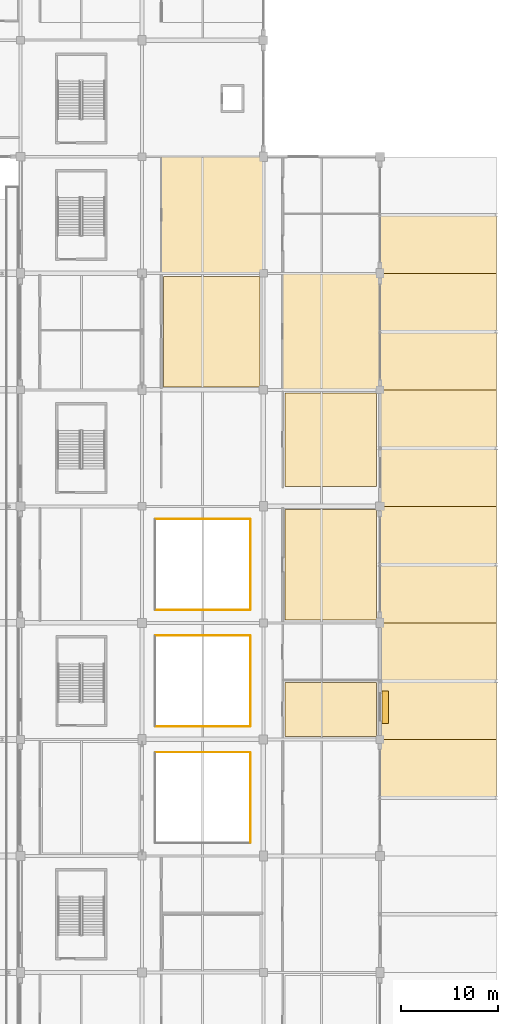
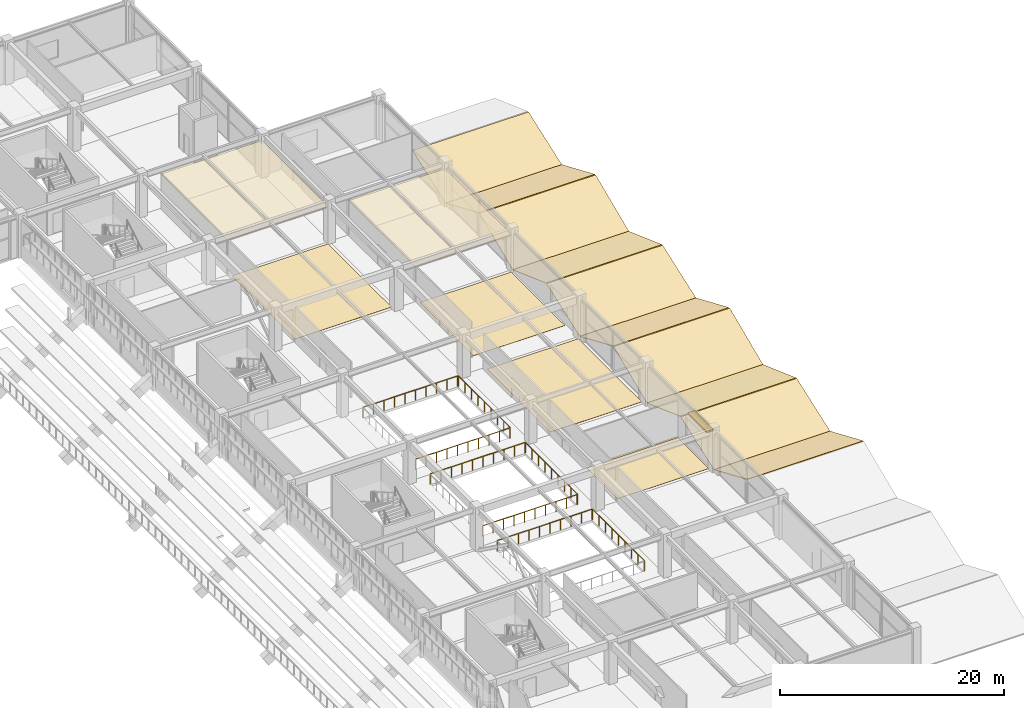
# One storey, part 122 of 134: 16 coverings, 8 railings, 1 shading device.
"""IFC4 building model written with IfcOpenShell, lengths in metres."""

import ifcopenshell
import ifcopenshell.guid

model = None  # the IFC model being written
_history = None  # IfcOwnerHistory: only IFC2X3 demands one
_inside = {}  # id of a spatial element -> (the spatial element, [elements in it])
_under = {}  # id of a project, library or spatial element -> (it, [spatial elements below it])
_declared = {}  # id of a project -> (the project, [libraries it declares])
_typed = {}  # id of a type object -> (the type object, [elements of that type])
_made_of = {}  # id of a material, layer set ... -> (it, [elements and type objects made of it])


def new_model(schema):
    """Start an empty IFC model of exactly this schema.

    Asked for "IFC4X3", IfcOpenShell would pick the latest addendum, in which some entities
    have other attributes; the version numbers below select the first issue.
    IFC2X3 requires an IfcOwnerHistory on every rooted entity: one is made here for all.
    """
    global model, _history
    if schema == "IFC4X3":
        model = ifcopenshell.file(schema_version=(4, 3, 0, 0))
    else:
        model = ifcopenshell.file(schema=schema)
    _inside.clear()
    _under.clear()
    _declared.clear()
    _typed.clear()
    _made_of.clear()
    _history = None
    if model.schema == "IFC2X3":
        org = make("IfcOrganization", Name="unknown")
        user = make(
            "IfcPersonAndOrganization",
            ThePerson=make("IfcPerson", FamilyName="unknown"),
            TheOrganization=org,
        )
        app = make(
            "IfcApplication",
            ApplicationDeveloper=org,
            Version="unknown",
            ApplicationFullName="unknown",
            ApplicationIdentifier="unknown",
        )
        _history = make(
            "IfcOwnerHistory",
            OwningUser=user,
            OwningApplication=app,
            ChangeAction="ADDED",
            CreationDate=0,
        )
    return model


def make(cls, **values):
    """One entity of the class cls with the attributes given. An attribute that is None is left unset."""
    return model.create_entity(
        cls, **{name: value for name, value in values.items() if value is not None}
    )


def rooted(cls, **values):
    """An entity with a GlobalId (a new one), such as an element, a storey or a relation."""
    return make(cls, GlobalId=ifcopenshell.guid.new(), OwnerHistory=_history, **values)


def si_unit(unit_type, name, prefix=None):
    """IfcSIUnit, for example si_unit("LENGTHUNIT", "METRE", prefix="MILLI")."""
    return make("IfcSIUnit", UnitType=unit_type, Prefix=prefix, Name=name)


def assignment(units):
    """IfcUnitAssignment: the units of a project."""
    return None if units is None else make("IfcUnitAssignment", Units=units)


def point(xyz):
    """IfcCartesianPoint."""
    return None if xyz is None else make("IfcCartesianPoint", Coordinates=xyz)


def direction(xyz):
    """IfcDirection."""
    return None if xyz is None else make("IfcDirection", DirectionRatios=xyz)


def frame(location, z_axis=None, x_axis=None):
    """IfcAxis2Placement3D, a coordinate frame: its origin and axes. An axis left out is left unset."""
    return make(
        "IfcAxis2Placement3D",
        Location=point(location),
        Axis=direction(z_axis),
        RefDirection=direction(x_axis),
    )


def frame_2d(location, x_axis=None):
    """IfcAxis2Placement2D, a coordinate frame in the plane: its origin and x axis."""
    return make(
        "IfcAxis2Placement2D", Location=point(location), RefDirection=direction(x_axis)
    )


def origin():
    """The frame at (0, 0, 0) with its axes left unset."""
    return frame((0.0, 0.0, 0.0))


def origin_2d():
    """The frame at (0, 0) in the plane with its x axis left unset."""
    return frame_2d((0.0, 0.0))


def place(relative_to, where):
    """IfcLocalPlacement: puts the frame where relative to a parent placement (None: the world)."""
    return make(
        "IfcLocalPlacement", PlacementRelTo=relative_to, RelativePlacement=where
    )


def context(
    kind, dimensions, precision=None, world=None, true_north=None, identifier=None
):
    """IfcGeometricRepresentationContext, for example the 3D "Model" context."""
    return make(
        "IfcGeometricRepresentationContext",
        ContextIdentifier=identifier,
        ContextType=kind,
        CoordinateSpaceDimension=dimensions,
        Precision=precision,
        WorldCoordinateSystem=world,
        TrueNorth=true_north,
    )


def subcontext(parent, identifier, kind, view, scale=None):
    """IfcGeometricRepresentationSubContext, for example "Body" below "Model"."""
    return make(
        "IfcGeometricRepresentationSubContext",
        ContextIdentifier=identifier,
        ContextType=kind,
        ParentContext=parent,
        TargetScale=scale,
        TargetView=view,
    )


def project(units=None, contexts=None):
    """IfcProject with its units and contexts."""
    return rooted(
        "IfcProject",
        Name="project",
        RepresentationContexts=contexts,
        UnitsInContext=assignment(units),
    )


def spatial(cls, under=None, at=None, **own):
    """A site, building, storey or space (cls), placed at a placement, below another one or the project."""
    s = rooted(cls, ObjectPlacement=at, **own)
    if under is not None:
        _under.setdefault(under.id(), (under, []))[1].append(s)
    return s


def polyline(points):
    """IfcPolyline through the points."""
    return make("IfcPolyline", Points=[point(p) for p in points])


def profile(cls, at=None, kind="AREA", **sizes):
    """A parametric profile (cls). Its sizes go by their IFC names, for example OverallWidth=200.0."""
    return make(cls, ProfileType=kind, Position=at, **sizes)


def rectangle(**sizes):
    """IfcRectangleProfileDef."""
    return profile("IfcRectangleProfileDef", **sizes)


def circle(**sizes):
    """IfcCircleProfileDef."""
    return profile("IfcCircleProfileDef", **sizes)


def outline(outer, holes=None, kind="AREA"):
    """IfcArbitraryClosedProfileDef: a profile drawn as a closed curve; with holes, ...WithVoids."""
    if holes is None:
        return make("IfcArbitraryClosedProfileDef", ProfileType=kind, OuterCurve=outer)
    return make(
        "IfcArbitraryProfileDefWithVoids",
        ProfileType=kind,
        OuterCurve=outer,
        InnerCurves=holes,
    )


def extrude(swept, where, along, depth):
    """IfcExtrudedAreaSolid: the profile swept, set in the frame where, extruded along a direction by depth."""
    return make(
        "IfcExtrudedAreaSolid",
        SweptArea=swept,
        Position=where,
        ExtrudedDirection=direction(along),
        Depth=depth,
    )


def shape(context_of_items, identifier, shape_type, items):
    """IfcShapeRepresentation: the items that make up one representation, for example the "Body"."""
    return make(
        "IfcShapeRepresentation",
        ContextOfItems=context_of_items,
        RepresentationIdentifier=identifier,
        RepresentationType=shape_type,
        Items=items,
    )


def material(Name=None, Category=None):
    """IfcMaterial."""
    return make("IfcMaterial", Name=Name, Category=Category)


def layer(
    of_material, thickness, ventilated=None, Name=None, Category=None, Priority=None
):
    """IfcMaterialLayer: one layer of a wall or slab, of a material (None: an air gap)."""
    return make(
        "IfcMaterialLayer",
        Material=of_material,
        LayerThickness=thickness,
        IsVentilated=ventilated,
        Name=Name,
        Category=Category,
        Priority=Priority,
    )


def layer_set(layers, Name=None):
    """IfcMaterialLayerSet."""
    return make("IfcMaterialLayerSet", MaterialLayers=layers, LayerSetName=Name)


def made_of(thing, what):
    """Note that an element or type object is made of a material, layer set ...; save() writes the relation."""
    if what is not None:
        _made_of.setdefault(what.id(), (what, []))[1].append(thing)
    return thing


def type_object(cls, material=None, **own):
    """A type object (cls), such as IfcWallType, which elements share."""
    return made_of(rooted(cls, **own), material)


def element(
    cls,
    number,
    at=None,
    inside=None,
    cuts=None,
    type_object=None,
    material=None,
    context=None,
    identifier="Body",
    shape_type=None,
    held_by="IfcProductDefinitionShape",
    body=None,
    shapes=None,
    **own,
):
    """One element of the class cls, such as IfcWall. Its Tag is "e" and its number.

    at: its placement. inside: the storey or other place that contains it. cuts: it is an
    opening in that element (IfcRelVoidsElement). A single representation is given by context,
    identifier, shape_type and body (its items); several are given by shapes. held_by: the class
    of the entity that holds the representations. save() writes the other relations.
    """
    e = rooted(cls, Tag="e%d" % number, ObjectPlacement=at, **own)
    if body is not None:
        shapes = [shape(context, identifier, shape_type, body)]
    if shapes is not None:
        e.Representation = make(held_by, Representations=shapes)
    if inside is not None:
        _inside.setdefault(inside.id(), (inside, []))[1].append(e)
    if cuts is not None:
        rooted(
            "IfcRelVoidsElement", RelatingBuildingElement=cuts, RelatedOpeningElement=e
        )
    if type_object is not None:
        _typed.setdefault(type_object.id(), (type_object, []))[1].append(e)
    return made_of(e, material)


def aggregate(whole, parts):
    """IfcRelAggregates: a whole, such as a stair, and the parts it consists of."""
    return rooted("IfcRelAggregates", RelatingObject=whole, RelatedObjects=parts)


def save(model, path):
    """Write the relations noted so far, then the file.

    IfcRelAggregates (storeys below a building ...), IfcRelContainedInSpatialStructure (elements
    in a storey), IfcRelDefinesByType, IfcRelAssociatesMaterial and IfcRelDeclares: one each for
    every whole, place, type object, material and project.
    """
    for whole, parts in _under.values():
        aggregate(whole, parts)
    for where, things in _inside.values():
        rooted(
            "IfcRelContainedInSpatialStructure",
            RelatedElements=things,
            RelatingStructure=where,
        )
    for kind, things in _typed.values():
        rooted("IfcRelDefinesByType", RelatedObjects=things, RelatingType=kind)
    for what, things in _made_of.values():
        rooted("IfcRelAssociatesMaterial", RelatedObjects=things, RelatingMaterial=what)
    for by, libraries in _declared.values():
        rooted("IfcRelDeclares", RelatingContext=by, RelatedDefinitions=libraries)
    model.write(path)


model = new_model("IFC4")

# Units and contexts
model_context = context("Model", 3, precision=1e-05, world=origin(), true_north=direction((0.0, 1.0)))
body_context = subcontext(model_context, "Body", "Model", "MODEL_VIEW")
ifc_project = project(units=[si_unit("LENGTHUNIT", "METRE"), si_unit("AREAUNIT", "SQUARE_METRE"), si_unit("VOLUMEUNIT", "CUBIC_METRE"), si_unit("PLANEANGLEUNIT", "RADIAN"), si_unit("MASSUNIT", "GRAM", prefix="KILO")], contexts=[model_context])

# Site, building, storey
site_placement = place(None, origin())
site = spatial("IfcSite", under=ifc_project, at=site_placement, CompositionType="ELEMENT")
building_placement = place(site_placement, origin())
building = spatial("IfcBuilding", under=site, at=building_placement, Name="Kazenohara Klinker Stadium", CompositionType="ELEMENT")
storey_placement = place(building_placement, frame((0.0, 0.0, 5.39990234375)))
storey = spatial("IfcBuildingStorey", under=building, at=storey_placement, Name="L01", CompositionType="ELEMENT", Elevation=5.39990234375)

# Coverings
ifc_material_1 = material(Name="Perforated acoustic mineral-fibre ceiling tile", Category="gypsum")
ifc_layer_1 = layer(ifc_material_1, 0.030029296875)
ifc_layer_set_1 = layer_set([ifc_layer_1], Name="Perforated acoustic mineral-fibre ceiling tile")
covering_type_1 = type_object("IfcCoveringType", Name="COV-CEIL-01", PredefinedType="CEILING", material=ifc_layer_set_1)
covering_1_placement = place(storey_placement, frame((0.0, 0.0, 3.75)))
element("IfcCovering", 1, at=covering_1_placement, inside=storey, type_object=covering_type_1, Name="Suspended acoustic ceiling CL01 Concourse Supporter Beer Dining Hall L01-1609A", PredefinedType="CEILING", context=body_context, shape_type="SweptSolid", body=[
    extrude(outline(polyline([(201.9599609375, 108.0400390625), (211.93994140625, 108.0400390625), (211.93994140625, 119.9599609375), (201.9599609375, 119.9599609375), (201.9599609375, 108.0400390625)])), origin(), (0.0, 0.0, 1.0), 0.030029296875),
])
ifc_material_2 = material(Name="Slatted Hokkaido cedar acoustic baffle ceiling", Category="wood")
ifc_layer_2 = layer(ifc_material_2, 0.0400390625)
ifc_layer_set_2 = layer_set([ifc_layer_2], Name="Slatted Hokkaido cedar acoustic baffle ceiling")
covering_type_2 = type_object("IfcCoveringType", Name="COV-CEIL-02", PredefinedType="CEILING", material=ifc_layer_set_2)
covering_2_placement = place(storey_placement, frame((0.0, 0.0, 3.739990234375)))
element("IfcCovering", 2, at=covering_2_placement, inside=storey, type_object=covering_type_2, Name="Suspended acoustic ceiling CL02 Spectator First-Aid Medical Clinic L01-1510A", PredefinedType="CEILING", context=body_context, shape_type="SweptSolid", body=[
    extrude(outline(polyline([(189.4599609375, 120.0400390625), (199.93994140625, 120.0400390625), (199.93994140625, 131.9599609375), (189.4599609375, 131.9599609375), (189.4599609375, 120.0400390625)])), origin(), (0.0, 0.0, 1.0), 0.0400390625),
])
ifc_material_3 = material(Name="Slip-resistant honed basalt terrazzo flooring", Category="masonry")
ifc_layer_3 = layer(ifc_material_3, 0.02001953125)
ifc_layer_set_3 = layer_set([ifc_layer_3], Name="Slip-resistant honed basalt terrazzo flooring")
covering_type_3 = type_object("IfcCoveringType", Name="COV-FLR-01", PredefinedType="FLOORING", material=ifc_layer_set_3)
covering_3_placement = place(storey_placement, origin())
element("IfcCovering", 3, at=covering_3_placement, inside=storey, type_object=covering_type_3, Name="Interior floor finish FL01 Supporter Scarf and Jersey Retail Shop L01-1509A", PredefinedType="FLOORING", context=body_context, shape_type="SweptSolid", body=[
    extrude(outline(polyline([(189.72998046875, 108.31005859375), (199.669921875, 108.31005859375), (199.669921875, 119.68994140625), (189.72998046875, 119.68994140625), (189.72998046875, 108.31005859375)])), origin(), (0.0, 0.0, 1.0), 0.02001953125),
])
covering_4_placement = place(storey_placement, origin())
element("IfcCovering", 4, at=covering_4_placement, inside=storey, type_object=covering_type_3, Name="Interior floor finish FL01 Spectator First-Aid Medical Clinic L01-1607A", PredefinedType="FLOORING", context=body_context, shape_type="SweptSolid", body=[
    extrude(outline(polyline([(202.22998046875, 84.31005859375), (211.669921875, 84.31005859375), (211.669921875, 95.68994140625), (202.22998046875, 95.68994140625), (202.22998046875, 84.31005859375)])), origin(), (0.0, 0.0, 1.0), 0.02001953125),
])
ifc_material_4 = material(Name="Cushioned EPDM sports rubber flooring", Category="rubber")
ifc_layer_4 = layer(ifc_material_4, 0.014892578125)
ifc_layer_set_4 = layer_set([ifc_layer_4], Name="Cushioned EPDM sports rubber flooring")
covering_type_4 = type_object("IfcCoveringType", Name="COV-FLR-02", PredefinedType="FLOORING", material=ifc_layer_set_4)
covering_5_placement = place(storey_placement, origin())
element("IfcCovering", 5, at=covering_5_placement, inside=storey, type_object=covering_type_4, Name="Interior floor finish FL02 Family Sensory Hospitality Lounge L01-1606A", PredefinedType="FLOORING", context=body_context, shape_type="SweptSolid", body=[
    extrude(outline(polyline([(202.22998046875, 72.31005859375), (211.669921875, 72.31005859375), (211.669921875, 77.88671875), (202.22998046875, 77.88671875), (202.22998046875, 72.31005859375)])), origin(), (0.0, 0.0, 1.0), 0.01513671875),
])
covering_6_placement = place(storey_placement, origin())
element("IfcCovering", 6, at=covering_6_placement, inside=storey, type_object=covering_type_4, Name="Interior floor finish FL02 Family Sensory Hospitality Lounge L01-1608A", PredefinedType="FLOORING", context=body_context, shape_type="SweptSolid", body=[
    extrude(outline(polyline([(202.22998046875, 98.070068359375), (211.669921875, 98.070068359375), (211.669921875, 107.68994140625), (202.22998046875, 107.68994140625), (202.22998046875, 98.070068359375)])), origin(), (0.0, 0.0, 1.0), 0.01513671875),
])
ifc_material_5 = material(Name="Insulated standing-seam copper roofing", Category="metal")
ifc_layer_5 = layer(ifc_material_5, 0.050048828125)
ifc_layer_set_5 = layer_set([ifc_layer_5], Name="Insulated standing-seam copper roofing")
covering_type_5 = type_object("IfcCoveringType", Name="COV-ROOF-01", PredefinedType="ROOFING", material=ifc_layer_set_5)
covering_7_placement = place(storey_placement, frame((212.0, 66.050048828125, 2.52001953125), z_axis=(0.0, 0.393896539344, 0.919154783642), x_axis=(1.0, 0.0, 0.0)))
element("IfcCovering", 7, at=covering_7_placement, inside=storey, type_object=covering_type_5, Name="Standing-seam copper stepped wing roofing L01-B 18/F", PredefinedType="ROOFING", context=body_context, shape_type="SweptSolid", body=[
    extrude(outline(polyline([(0.0, 0.0), (12.0, 0.0), (12.0, 6.473285324477336), (0.0, 6.473285324477336), (0.0, 0.0)])), origin(), (0.0, 0.0, -1.0), 0.050048828125),
])
for number, where, z_axis, x_axis, name in (
    (8, (212.0, 72.0, -0.02978515625), (0.0, -0.3398274788, 0.940487790805), (1.0, 0.0, 0.0), "Standing-seam copper stepped wing roofing L01-A 18/G"),
    (9, (212.0, 78.050048828125, 2.1201171875), (0.0, 0.3398274788, 0.940487790805), (1.0, 0.0, 0.0), "Standing-seam copper stepped wing roofing L01-B 18/G"),
):
    element("IfcCovering", number, at=place(storey_placement, frame(where, z_axis=z_axis, x_axis=x_axis)), inside=storey, type_object=covering_type_5, Name=name, PredefinedType="ROOFING", context=body_context, shape_type="SweptSolid", body=[
        extrude(outline(polyline([(0.0, 0.0), (12.0, 0.0), (12.0, 6.326452326174476), (0.0, 6.326452326174476), (0.0, 0.0)])), origin(), (0.0, 0.0, -1.0), 0.050048828125),
    ])
for number, where, z_axis, x_axis, name in (
    (10, (212.0, 84.0, -0.02978515625), (0.0, -0.393896539344, 0.919154783642), (1.0, 0.0, 0.0), "Standing-seam copper stepped wing roofing L01-A 18/H"),
    (11, (212.0, 90.050048828125, 2.52001953125), (0.0, 0.393896539344, 0.919154783642), (1.0, 0.0, 0.0), "Standing-seam copper stepped wing roofing L01-B 18/H"),
):
    element("IfcCovering", number, at=place(storey_placement, frame(where, z_axis=z_axis, x_axis=x_axis)), inside=storey, type_object=covering_type_5, Name=name, PredefinedType="ROOFING", context=body_context, shape_type="SweptSolid", body=[
        extrude(outline(polyline([(0.0, 0.0), (12.0, 0.0), (12.0, 6.473285324477336), (0.0, 6.473285324477336), (0.0, 0.0)])), origin(), (0.0, 0.0, -1.0), 0.050048828125),
    ])
for number, where, z_axis, x_axis, name in (
    (12, (212.0, 96.0, -0.02978515625), (0.0, -0.3398274788, 0.940487790805), (1.0, 0.0, 0.0), "Standing-seam copper stepped wing roofing L01-A 18/J"),
    (13, (212.0, 102.050048828125, 2.1201171875), (0.0, 0.3398274788, 0.940487790805), (1.0, 0.0, 0.0), "Standing-seam copper stepped wing roofing L01-B 18/J"),
):
    element("IfcCovering", number, at=place(storey_placement, frame(where, z_axis=z_axis, x_axis=x_axis)), inside=storey, type_object=covering_type_5, Name=name, PredefinedType="ROOFING", context=body_context, shape_type="SweptSolid", body=[
        extrude(outline(polyline([(0.0, 0.0), (12.0, 0.0), (12.0, 6.326452326174476), (0.0, 6.326452326174476), (0.0, 0.0)])), origin(), (0.0, 0.0, -1.0), 0.050048828125),
    ])
for number, where, z_axis, x_axis, name in (
    (14, (212.0, 108.0, -0.02978515625), (0.0, -0.393896539344, 0.919154783642), (1.0, 0.0, 0.0), "Standing-seam copper stepped wing roofing L01-A 18/K"),
    (15, (212.0, 114.050048828125, 2.52001953125), (0.0, 0.393896539344, 0.919154783642), (1.0, 0.0, 0.0), "Standing-seam copper stepped wing roofing L01-B 18/K"),
):
    element("IfcCovering", number, at=place(storey_placement, frame(where, z_axis=z_axis, x_axis=x_axis)), inside=storey, type_object=covering_type_5, Name=name, PredefinedType="ROOFING", context=body_context, shape_type="SweptSolid", body=[
        extrude(outline(polyline([(0.0, 0.0), (12.0, 0.0), (12.0, 6.473285324477336), (0.0, 6.473285324477336), (0.0, 0.0)])), origin(), (0.0, 0.0, -1.0), 0.050048828125),
    ])
covering_8_placement = place(storey_placement, frame((212.0, 120.0, -0.02978515625), z_axis=(0.0, -0.3398274788, 0.940487790805), x_axis=(1.0, 0.0, 0.0)))
element("IfcCovering", 16, at=covering_8_placement, inside=storey, type_object=covering_type_5, Name="Standing-seam copper stepped wing roofing L01-A 18/L", PredefinedType="ROOFING", context=body_context, shape_type="SweptSolid", body=[
    extrude(outline(polyline([(0.0, 0.0), (12.0, 0.0), (12.0, 6.326452326174476), (0.0, 6.326452326174476), (0.0, 0.0)])), origin(), (0.0, 0.0, -1.0), 0.050048828125),
])

# Railings
ifc_material_6 = material(Name="Tempered laminated glass and stainless steel 316 balustrade", Category="steel")
ifc_layer_6 = layer(ifc_material_6, 0.090087890625)
ifc_layer_set_6 = layer_set([ifc_layer_6], Name="Tempered laminated glass and stainless steel 316 balustrade")
railing_type = type_object("IfcRailingType", Name="RL-BAL-1150", PredefinedType="BALUSTRADE", material=ifc_layer_set_6)
railing_1_placement = place(storey_placement, frame((188.8701171875, 70.679931640625, 0.0)))
element("IfcRailing", 17, at=railing_1_placement, inside=storey, type_object=railing_type, Name="Double-height atrium gallery balustrade BL01-V05-N", PredefinedType="BALUSTRADE", context=body_context, shape_type="SweptSolid", body=[
    extrude(circle(Radius=0.02392578125, at=origin_2d()), frame((0.0, 0.0, 1.1259765625), z_axis=(1.0, 0.0, 0.0), x_axis=(0.0, 1.0, 0.0)), (0.0, 0.0, 1.0), 9.759765625),
    extrude(circle(Radius=0.02099609375, at=origin_2d()), origin(), (0.0, 0.0, 1.0), 1.101806640625),
    extrude(circle(Radius=0.02099609375, at=origin_2d()), frame((1.08447265625, 0.0, 0.0)), (0.0, 0.0, 1.0), 1.101806640625),
    extrude(circle(Radius=0.02099609375, at=origin_2d()), frame((2.1689453125, 0.0, 0.0)), (0.0, 0.0, 1.0), 1.101806640625),
    extrude(circle(Radius=0.02099609375, at=origin_2d()), frame((3.253173828125, 0.0, 0.0)), (0.0, 0.0, 1.0), 1.101806640625),
    extrude(circle(Radius=0.02099609375, at=origin_2d()), frame((4.337646484375, 0.0, 0.0)), (0.0, 0.0, 1.0), 1.101806640625),
    extrude(circle(Radius=0.02099609375, at=origin_2d()), frame((5.422119140625, 0.0, 0.0)), (0.0, 0.0, 1.0), 1.101806640625),
    extrude(circle(Radius=0.02099609375, at=origin_2d()), frame((6.506591796875, 0.0, 0.0)), (0.0, 0.0, 1.0), 1.101806640625),
    extrude(circle(Radius=0.02099609375, at=origin_2d()), frame((7.5908203125, 0.0, 0.0)), (0.0, 0.0, 1.0), 1.101806640625),
    extrude(circle(Radius=0.02099609375, at=origin_2d()), frame((8.67529296875, 0.0, 0.0)), (0.0, 0.0, 1.0), 1.101806640625),
    extrude(circle(Radius=0.02099609375, at=origin_2d()), frame((9.759765625, 0.0, 0.0)), (0.0, 0.0, 1.0), 1.101806640625),
])
railing_2_placement = place(storey_placement, frame((198.679931640625, 61.3701171875, 0.0)))
element("IfcRailing", 18, at=railing_2_placement, inside=storey, type_object=railing_type, Name="Double-height atrium gallery balustrade BL01-V05-E", PredefinedType="BALUSTRADE", context=body_context, shape_type="SweptSolid", body=[
    extrude(circle(Radius=0.02392578125, at=origin_2d()), frame((0.0, 0.0, 1.1259765625), z_axis=(0.0, 1.0, 0.0), x_axis=(-1.0, 0.0, 0.0)), (0.0, 0.0, 1.0), 9.259765625),
    extrude(circle(Radius=0.02099609375, at=origin_2d()), origin(), (0.0, 0.0, 1.0), 1.101806640625),
    extrude(circle(Radius=0.02099609375, at=origin_2d()), frame((0.0, 1.157470703125, 0.0)), (0.0, 0.0, 1.0), 1.101806640625),
    extrude(circle(Radius=0.02099609375, at=origin_2d()), frame((0.0, 2.31494140625, 0.0)), (0.0, 0.0, 1.0), 1.101806640625),
    extrude(circle(Radius=0.02099609375, at=origin_2d()), frame((0.0, 3.472412109375, 0.0)), (0.0, 0.0, 1.0), 1.101806640625),
    extrude(circle(Radius=0.02099609375, at=origin_2d()), frame((0.0, 4.6298828125, 0.0)), (0.0, 0.0, 1.0), 1.101806640625),
    extrude(circle(Radius=0.02099609375, at=origin_2d()), frame((0.0, 5.787353515625, 0.0)), (0.0, 0.0, 1.0), 1.101806640625),
    extrude(circle(Radius=0.02099609375, at=origin_2d()), frame((0.0, 6.94482421875, 0.0)), (0.0, 0.0, 1.0), 1.101806640625),
    extrude(circle(Radius=0.02099609375, at=origin_2d()), frame((0.0, 8.102294921875, 0.0)), (0.0, 0.0, 1.0), 1.101806640625),
    extrude(circle(Radius=0.02099609375, at=origin_2d()), frame((0.0, 9.259765625, 0.0)), (0.0, 0.0, 1.0), 1.101806640625),
])
for number, where, name in (
    (19, (188.8701171875, 73.320068359375, 0.0), "Double-height atrium gallery balustrade BL01-V06-S"),
    (20, (188.8701171875, 82.679931640625, 0.0), "Double-height atrium gallery balustrade BL01-V06-N"),
):
    element("IfcRailing", number, at=place(storey_placement, frame(where)), inside=storey, type_object=railing_type, Name=name, PredefinedType="BALUSTRADE", context=body_context, shape_type="SweptSolid", body=[
        extrude(circle(Radius=0.02392578125, at=origin_2d()), frame((0.0, 0.0, 1.1259765625), z_axis=(1.0, 0.0, 0.0), x_axis=(0.0, 1.0, 0.0)), (0.0, 0.0, 1.0), 9.759765625),
        extrude(circle(Radius=0.02099609375, at=origin_2d()), origin(), (0.0, 0.0, 1.0), 1.101806640625),
        extrude(circle(Radius=0.02099609375, at=origin_2d()), frame((1.08447265625, 0.0, 0.0)), (0.0, 0.0, 1.0), 1.101806640625),
        extrude(circle(Radius=0.02099609375, at=origin_2d()), frame((2.1689453125, 0.0, 0.0)), (0.0, 0.0, 1.0), 1.101806640625),
        extrude(circle(Radius=0.02099609375, at=origin_2d()), frame((3.253173828125, 0.0, 0.0)), (0.0, 0.0, 1.0), 1.101806640625),
        extrude(circle(Radius=0.02099609375, at=origin_2d()), frame((4.337646484375, 0.0, 0.0)), (0.0, 0.0, 1.0), 1.101806640625),
        extrude(circle(Radius=0.02099609375, at=origin_2d()), frame((5.422119140625, 0.0, 0.0)), (0.0, 0.0, 1.0), 1.101806640625),
        extrude(circle(Radius=0.02099609375, at=origin_2d()), frame((6.506591796875, 0.0, 0.0)), (0.0, 0.0, 1.0), 1.101806640625),
        extrude(circle(Radius=0.02099609375, at=origin_2d()), frame((7.5908203125, 0.0, 0.0)), (0.0, 0.0, 1.0), 1.101806640625),
        extrude(circle(Radius=0.02099609375, at=origin_2d()), frame((8.67529296875, 0.0, 0.0)), (0.0, 0.0, 1.0), 1.101806640625),
        extrude(circle(Radius=0.02099609375, at=origin_2d()), frame((9.759765625, 0.0, 0.0)), (0.0, 0.0, 1.0), 1.101806640625),
    ])
railing_3_placement = place(storey_placement, frame((198.679931640625, 73.3701171875, 0.0)))
element("IfcRailing", 21, at=railing_3_placement, inside=storey, type_object=railing_type, Name="Double-height atrium gallery balustrade BL01-V06-E", PredefinedType="BALUSTRADE", context=body_context, shape_type="SweptSolid", body=[
    extrude(circle(Radius=0.02392578125, at=origin_2d()), frame((0.0, 0.0, 1.1259765625), z_axis=(0.0, 1.0, 0.0), x_axis=(-1.0, 0.0, 0.0)), (0.0, 0.0, 1.0), 9.259765625),
    extrude(circle(Radius=0.02099609375, at=origin_2d()), origin(), (0.0, 0.0, 1.0), 1.101806640625),
    extrude(circle(Radius=0.02099609375, at=origin_2d()), frame((0.0, 1.157470703125, 0.0)), (0.0, 0.0, 1.0), 1.101806640625),
    extrude(circle(Radius=0.02099609375, at=origin_2d()), frame((0.0, 2.31494140625, 0.0)), (0.0, 0.0, 1.0), 1.101806640625),
    extrude(circle(Radius=0.02099609375, at=origin_2d()), frame((0.0, 3.472412109375, 0.0)), (0.0, 0.0, 1.0), 1.101806640625),
    extrude(circle(Radius=0.02099609375, at=origin_2d()), frame((0.0, 4.6298828125, 0.0)), (0.0, 0.0, 1.0), 1.101806640625),
    extrude(circle(Radius=0.02099609375, at=origin_2d()), frame((0.0, 5.787353515625, 0.0)), (0.0, 0.0, 1.0), 1.101806640625),
    extrude(circle(Radius=0.02099609375, at=origin_2d()), frame((0.0, 6.94482421875, 0.0)), (0.0, 0.0, 1.0), 1.101806640625),
    extrude(circle(Radius=0.02099609375, at=origin_2d()), frame((0.0, 8.102294921875, 0.0)), (0.0, 0.0, 1.0), 1.101806640625),
    extrude(circle(Radius=0.02099609375, at=origin_2d()), frame((0.0, 9.259765625, 0.0)), (0.0, 0.0, 1.0), 1.101806640625),
])
for number, where, name in (
    (22, (188.8701171875, 85.320068359375, 0.0), "Double-height atrium gallery balustrade BL01-V07-S"),
    (23, (188.8701171875, 94.679931640625, 0.0), "Double-height atrium gallery balustrade BL01-V07-N"),
):
    element("IfcRailing", number, at=place(storey_placement, frame(where)), inside=storey, type_object=railing_type, Name=name, PredefinedType="BALUSTRADE", context=body_context, shape_type="SweptSolid", body=[
        extrude(circle(Radius=0.02392578125, at=origin_2d()), frame((0.0, 0.0, 1.1259765625), z_axis=(1.0, 0.0, 0.0), x_axis=(0.0, 1.0, 0.0)), (0.0, 0.0, 1.0), 9.759765625),
        extrude(circle(Radius=0.02099609375, at=origin_2d()), origin(), (0.0, 0.0, 1.0), 1.101806640625),
        extrude(circle(Radius=0.02099609375, at=origin_2d()), frame((1.08447265625, 0.0, 0.0)), (0.0, 0.0, 1.0), 1.101806640625),
        extrude(circle(Radius=0.02099609375, at=origin_2d()), frame((2.1689453125, 0.0, 0.0)), (0.0, 0.0, 1.0), 1.101806640625),
        extrude(circle(Radius=0.02099609375, at=origin_2d()), frame((3.253173828125, 0.0, 0.0)), (0.0, 0.0, 1.0), 1.101806640625),
        extrude(circle(Radius=0.02099609375, at=origin_2d()), frame((4.337646484375, 0.0, 0.0)), (0.0, 0.0, 1.0), 1.101806640625),
        extrude(circle(Radius=0.02099609375, at=origin_2d()), frame((5.422119140625, 0.0, 0.0)), (0.0, 0.0, 1.0), 1.101806640625),
        extrude(circle(Radius=0.02099609375, at=origin_2d()), frame((6.506591796875, 0.0, 0.0)), (0.0, 0.0, 1.0), 1.101806640625),
        extrude(circle(Radius=0.02099609375, at=origin_2d()), frame((7.5908203125, 0.0, 0.0)), (0.0, 0.0, 1.0), 1.101806640625),
        extrude(circle(Radius=0.02099609375, at=origin_2d()), frame((8.67529296875, 0.0, 0.0)), (0.0, 0.0, 1.0), 1.101806640625),
        extrude(circle(Radius=0.02099609375, at=origin_2d()), frame((9.759765625, 0.0, 0.0)), (0.0, 0.0, 1.0), 1.101806640625),
    ])
railing_4_placement = place(storey_placement, frame((198.679931640625, 85.3701171875, 0.0)))
element("IfcRailing", 24, at=railing_4_placement, inside=storey, type_object=railing_type, Name="Double-height atrium gallery balustrade BL01-V07-E", PredefinedType="BALUSTRADE", context=body_context, shape_type="SweptSolid", body=[
    extrude(circle(Radius=0.02392578125, at=origin_2d()), frame((0.0, 0.0, 1.1259765625), z_axis=(0.0, 1.0, 0.0), x_axis=(-1.0, 0.0, 0.0)), (0.0, 0.0, 1.0), 9.259765625),
    extrude(circle(Radius=0.02099609375, at=origin_2d()), origin(), (0.0, 0.0, 1.0), 1.101806640625),
    extrude(circle(Radius=0.02099609375, at=origin_2d()), frame((0.0, 1.157470703125, 0.0)), (0.0, 0.0, 1.0), 1.101806640625),
    extrude(circle(Radius=0.02099609375, at=origin_2d()), frame((0.0, 2.31494140625, 0.0)), (0.0, 0.0, 1.0), 1.101806640625),
    extrude(circle(Radius=0.02099609375, at=origin_2d()), frame((0.0, 3.472412109375, 0.0)), (0.0, 0.0, 1.0), 1.101806640625),
    extrude(circle(Radius=0.02099609375, at=origin_2d()), frame((0.0, 4.6298828125, 0.0)), (0.0, 0.0, 1.0), 1.101806640625),
    extrude(circle(Radius=0.02099609375, at=origin_2d()), frame((0.0, 5.787353515625, 0.0)), (0.0, 0.0, 1.0), 1.101806640625),
    extrude(circle(Radius=0.02099609375, at=origin_2d()), frame((0.0, 6.94482421875, 0.0)), (0.0, 0.0, 1.0), 1.101806640625),
    extrude(circle(Radius=0.02099609375, at=origin_2d()), frame((0.0, 8.102294921875, 0.0)), (0.0, 0.0, 1.0), 1.101806640625),
    extrude(circle(Radius=0.02099609375, at=origin_2d()), frame((0.0, 9.259765625, 0.0)), (0.0, 0.0, 1.0), 1.101806640625),
])

# Shading device
ifc_material_7 = material(Name="Bronze-anodised aluminium snow-hood sunshade", Category="aluminium")
shading_device_type = type_object("IfcShadingDeviceType", Name="SHD-SUN-01", PredefinedType="AWNING", material=ifc_material_7)
shading_device_placement = place(storey_placement, frame((212.550048828125, 75.3291015625, 2.89990234375), z_axis=(0.0, 0.0, 1.0), x_axis=(0.0, 1.0, 0.0)))
element("IfcShadingDevice", 25, at=shading_device_placement, inside=storey, type_object=shading_device_type, Name="Bronze snow-hood sunshade SS01-11", PredefinedType="AWNING", context=body_context, shape_type="SweptSolid", body=[
    extrude(rectangle(XDim=3.35009765625, YDim=0.699951171875, at=origin_2d()), origin(), (0.0, 0.0, 1.0), 0.159912109375),
])

save(model, "model.ifc")
